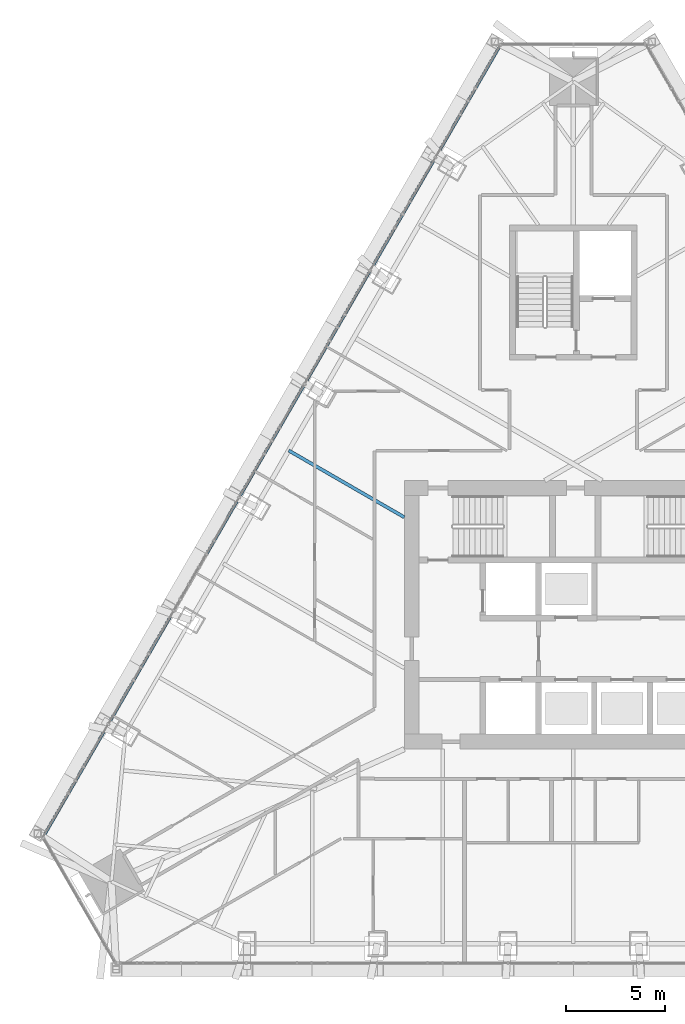
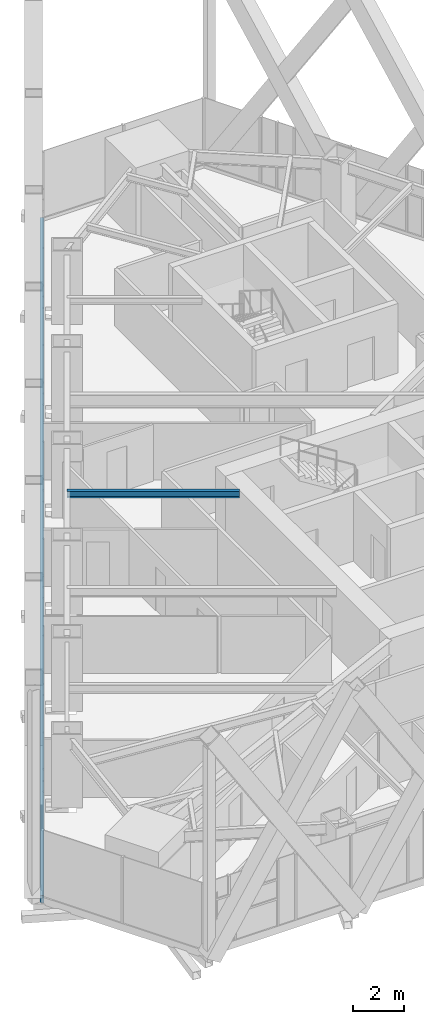
# One storey, part 6 of 25: 1 beam, 1 member, 1 element without a shape of its own.
"""IFC4 building model written with IfcOpenShell, lengths in metres."""

from ifc_helpers import new_model, si_unit, direction, frame, origin, origin_2d, place, context, subcontext, project, spatial, rectangle, i_section, extrude, material, layer, layer_set, material_profile, profile_set, type_object, element, aggregate, save


model = new_model("IFC4")

# Units and contexts
model_context = context("Model", 3, precision=1e-05, world=origin(), true_north=direction((0.0, 1.0)))
body_context = subcontext(model_context, "Body", "Model", "MODEL_VIEW")
ifc_project = project(units=[si_unit("LENGTHUNIT", "METRE"), si_unit("AREAUNIT", "SQUARE_METRE"), si_unit("VOLUMEUNIT", "CUBIC_METRE"), si_unit("PLANEANGLEUNIT", "RADIAN"), si_unit("MASSUNIT", "GRAM", prefix="KILO")], contexts=[model_context])

# Site, building, storey
site_placement = place(None, origin())
site = spatial("IfcSite", under=ifc_project, at=site_placement, CompositionType="ELEMENT")
building_placement = place(site_placement, origin())
building = spatial("IfcBuilding", under=site, at=building_placement, Name="Firuza Gate Tower and Library", CompositionType="ELEMENT")
storey_placement = place(building_placement, frame((0.0, 0.0, 270.60009765625)))
storey = spatial("IfcBuildingStorey", under=building, at=storey_placement, Name="L64", CompositionType="ELEMENT", Elevation=270.60009765625)

# Curtain wall, member
ifc_material_1 = material(Name="Aluminium 6063-T6", Category="aluminium")
ifc_layer = layer(ifc_material_1, 0.14990234375)
ifc_layer_set = layer_set([ifc_layer], Name="Unitised curtain wall, residences")
curtain_wall_type = type_object("IfcCurtainWallType", Name="Unitised curtain wall, residences", PredefinedType="NOTDEFINED", material=ifc_layer_set)
curtain_wall_placement = place(storey_placement, origin())
curtain_wall = element("IfcCurtainWall", 1, at=curtain_wall_placement, inside=storey, type_object=curtain_wall_type, Name="CW3 L64 W face", PredefinedType="NOTDEFINED")
ifc_material_2 = material(Name="Aluminium 6063-T6", Category="aluminium")
ifc_material_profile_1 = material_profile(ifc_material_2, rectangle(XDim=0.14990234375, YDim=0.35009765625, at=origin_2d()))
ifc_profile_set_1 = profile_set([ifc_material_profile_1], Name="Aluminium 6063-T6")
member_type = type_object("IfcMemberType", Name="Curtain wall transom 350x150", PredefinedType="USERDEFINED", material=ifc_profile_set_1)
member_placement = place(storey_placement, frame((71.356689453125, 103.68701171875, -0.025146484375), z_axis=(-0.499999832513, -0.866025500483, 0.0), x_axis=(0.866025500483, -0.499999832513, 0.0)))
member = element("IfcMember", 2, at=member_placement, type_object=member_type, Name="Transom", ObjectType="TRANSOM", PredefinedType="USERDEFINED", context=body_context, shape_type="SweptSolid", body=[
    extrude(rectangle(XDim=0.14990234375, YDim=0.35009765625, at=origin_2d()), origin(), (0.0, 0.0, 1.0), 46.0439453125),
])
aggregate(curtain_wall, [member])

# Beam
ifc_material_3 = material(Name="Steel S355", Category="steel")
ifc_material_profile_2 = material_profile(ifc_material_3, i_section(OverallWidth=0.1650390625, OverallDepth=0.31005859375, WebThickness=0.005859375, FlangeThickness=0.009765625, at=origin_2d()))
ifc_profile_set_2 = profile_set([ifc_material_profile_2], Name="Steel S355")
beam_type = type_object("IfcBeamType", Name="W310x39 Floor beam", PredefinedType="JOIST", material=ifc_profile_set_2)
beam_placement = place(storey_placement, frame((60.690185546875, 83.26171875, 3.14501953125), z_axis=(0.866028624078, -0.499994422247, 0.0), x_axis=(0.499994422247, 0.866028624078, 0.0)))
element("IfcBeam", 3, at=beam_placement, inside=storey, type_object=beam_type, Name="Floor beam L64 s82", PredefinedType="JOIST", context=body_context, shape_type="SweptSolid", body=[
    extrude(i_section(OverallWidth=0.1650390625, OverallDepth=0.31005859375, WebThickness=0.005859375, FlangeThickness=0.009765625, at=origin_2d()), origin(), (0.0, 0.0, 1.0), 6.70849609375),
])

save(model, "model.ifc")
